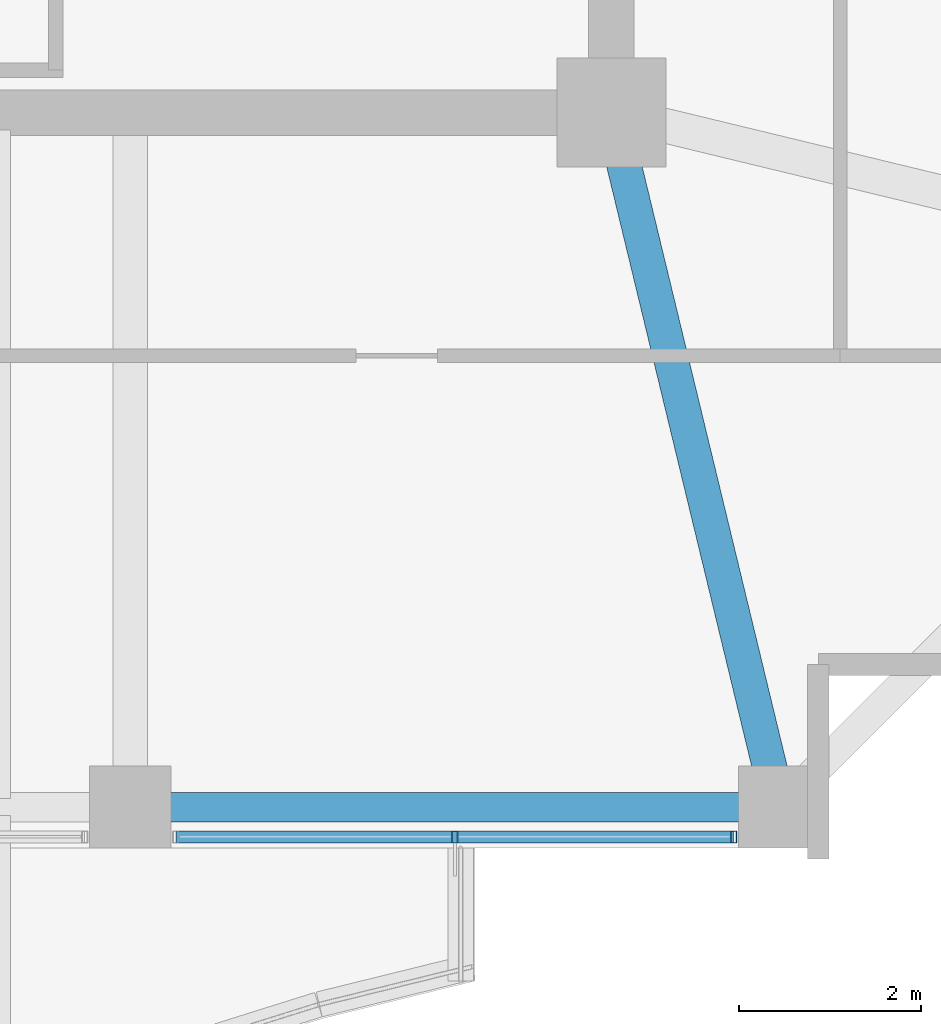
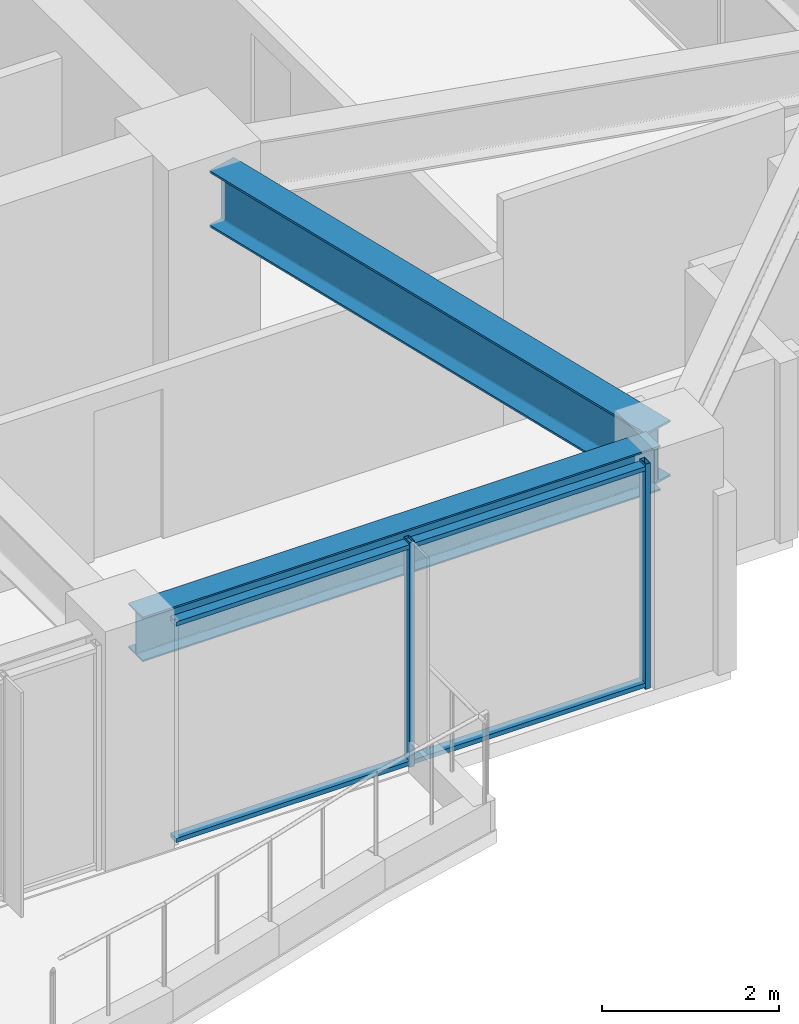
# One storey, part 8 of 31: 4 members, 2 beams, 1 element without a shape of its own.
"""IFC4 building model written with IfcOpenShell, lengths in metres."""

from ifc_helpers import new_model, si_unit, direction, frame, origin, origin_2d, place, context, subcontext, project, spatial, hollow_rectangle, i_section, extrude, material, material_profile, profile_set, type_object, element, aggregate, save


model = new_model("IFC4")

# Units and contexts
model_context = context("Model", 3, precision=1e-05, world=origin(), true_north=direction((0.0, 1.0)))
body_context = subcontext(model_context, "Body", "Model", "MODEL_VIEW")
ifc_project = project(units=[si_unit("LENGTHUNIT", "METRE"), si_unit("AREAUNIT", "SQUARE_METRE"), si_unit("VOLUMEUNIT", "CUBIC_METRE"), si_unit("PLANEANGLEUNIT", "RADIAN"), si_unit("MASSUNIT", "GRAM", prefix="KILO")], contexts=[model_context])

# Site, building, storey
site_placement = place(None, origin())
site = spatial("IfcSite", under=ifc_project, at=site_placement, CompositionType="ELEMENT")
building_placement = place(site_placement, origin())
building = spatial("IfcBuilding", under=site, at=building_placement, Name="Kolvaren Belvedere", CompositionType="ELEMENT")
storey_placement = place(building_placement, frame((0.0, 0.0, 131.60009765625)))
storey = spatial("IfcBuildingStorey", under=building, at=storey_placement, Name="L38", CompositionType="ELEMENT", Elevation=131.60009765625)

# Beams
ifc_material_1 = material(Name="Structural steel ASTM A992 Grade 50", Category="steel")
ifc_material_profile_1 = material_profile(ifc_material_1, i_section(OverallWidth=0.381103515625, OverallDepth=0.77294921875, WebThickness=0.0166015625, FlangeThickness=0.027099609375, FilletRadius=0.02392578125, at=origin_2d()), Name="W30X173")
ifc_profile_set_1 = profile_set([ifc_material_profile_1], Name="Structural steel ASTM A992 Grade 50")
beam_type_1 = type_object("IfcBeamType", Name="BM-GIRD-W30X173", PredefinedType="BEAM", material=ifc_profile_set_1)
beam_1_placement = place(storey_placement, frame((10.029296875, -10.4345703125, 2.71337890625), z_axis=(0.235062749937, -0.971980197119, 0.0), x_axis=(0.971980197119, 0.235062749937, 0.0)))
element("IfcBeam", 1, at=beam_1_placement, inside=storey, type_object=beam_type_1, Name="L38 Corner Core-to-Perimeter Girder CC2-S4", PredefinedType="BEAM", context=body_context, shape_type="SweptSolid", body=[
    extrude(i_section(OverallWidth=0.381103515625, OverallDepth=0.77294921875, WebThickness=0.0166015625, FlangeThickness=0.027099609375, FilletRadius=0.02392578125, at=origin_2d()), origin(), (0.0, 0.0, 1.0), 7.140625),
])
ifc_material_2 = material(Name="Structural steel ASTM A992 Grade 50", Category="steel")
ifc_material_profile_2 = material_profile(ifc_material_2, i_section(OverallWidth=0.324951171875, OverallDepth=0.615966796875, WebThickness=0.013916015625, FlangeThickness=0.021484375, FilletRadius=0.02001953125, at=origin_2d()), Name="W24X117")
ifc_profile_set_2 = profile_set([ifc_material_profile_2], Name="Structural steel ASTM A992 Grade 50")
beam_type_2 = type_object("IfcBeamType", Name="BM-SPAN-W24X117", PredefinedType="SPANDREL", material=ifc_profile_set_2)
beam_2_placement = place(storey_placement, frame((4.802490234375, -17.550048828125, 2.7919921875), z_axis=(1.0, 0.0, 0.0), x_axis=(0.0, 1.0, 0.0)))
element("IfcBeam", 2, at=beam_2_placement, inside=storey, type_object=beam_type_2, Name="L38 Perimeter Spandrel S3-S4", PredefinedType="SPANDREL", context=body_context, shape_type="SweptSolid", body=[
    extrude(i_section(OverallWidth=0.324951171875, OverallDepth=0.615966796875, WebThickness=0.013916015625, FlangeThickness=0.021484375, FilletRadius=0.02001953125, at=origin_2d()), origin(), (0.0, 0.0, 1.0), 6.7451171875),
])

# Curtain wall, members
ifc_material_3 = material(Name="Anodised pale-metal aluminium AA 6063-T6", Category="aluminium")
curtain_wall_type = type_object("IfcCurtainWallType", Name="CW-Z3-WAIST", PredefinedType="NOTDEFINED", material=ifc_material_3)
curtain_wall_placement = place(storey_placement, origin())
curtain_wall = element("IfcCurtainWall", 3, at=curtain_wall_placement, inside=storey, type_object=curtain_wall_type, Name="L38 Unitised Curtain Wall FCW-L38-S1-B1", PredefinedType="NOTDEFINED")
ifc_material_4 = material(Name="Anodised pale-metal aluminium AA 6063-T6", Category="aluminium")
ifc_material_profile_3 = material_profile(ifc_material_4, hollow_rectangle(XDim=0.06494140625, YDim=0.1298828125, WallThickness=0.00390625, at=origin_2d()), Name="ALU-MUL-130X65")
ifc_profile_set_3 = profile_set([ifc_material_profile_3], Name="Anodised pale-metal aluminium AA 6063-T6")
member_type_1 = type_object("IfcMemberType", Name="CW-MUL-130", PredefinedType="MULLION", material=ifc_profile_set_3)
member_1_placement = place(storey_placement, frame((11.24755859375, -17.8798828125, 0.0), z_axis=(0.0, 0.0, 1.0), x_axis=(1.0, 0.0, 0.0)))
member_1 = element("IfcMember", 4, at=member_1_placement, type_object=member_type_1, Name="FCW-L38-S1-B1 Unitised Mullion 1", PredefinedType="MULLION", context=body_context, shape_type="SweptSolid", body=[
    extrude(hollow_rectangle(XDim=0.06494140625, YDim=0.1298828125, WallThickness=0.00390625, at=origin_2d()), origin(), (0.0, 0.0, 1.0), 3.099853515625),
])
member_2_placement = place(storey_placement, frame((8.175048828125, -17.8798828125, 0.0), z_axis=(0.0, 0.0, 1.0), x_axis=(1.0, 0.0, 0.0)))
member_2 = element("IfcMember", 5, at=member_2_placement, type_object=member_type_1, Name="FCW-L38-S1-B1 Unitised Mullion 2", PredefinedType="MULLION", context=body_context, shape_type="SweptSolid", body=[
    extrude(hollow_rectangle(XDim=0.06494140625, YDim=0.1298828125, WallThickness=0.00390625, at=origin_2d()), origin(), (0.0, 0.0, 1.0), 3.099853515625),
])
ifc_material_5 = material(Name="Anodised pale-metal aluminium AA 6063-T6", Category="aluminium")
ifc_material_profile_4 = material_profile(ifc_material_5, hollow_rectangle(XDim=0.06005859375, YDim=0.1298828125, WallThickness=0.00390625, at=origin_2d()), Name="ALU-TRN-130X60")
ifc_profile_set_4 = profile_set([ifc_material_profile_4], Name="Anodised pale-metal aluminium AA 6063-T6")
member_type_2 = type_object("IfcMemberType", Name="CW-TRN-130", PredefinedType="USERDEFINED", material=ifc_profile_set_4)
member_3_placement = place(storey_placement, frame((11.24755859375, -17.8798828125, 0.059814453125), z_axis=(-1.0, 0.0, 0.0), x_axis=(0.0, 0.0, 1.0)))
member_3 = element("IfcMember", 6, at=member_3_placement, type_object=member_type_2, Name="FCW-L38-S1-B1 Sill Transom", ObjectType="TRANSOM", PredefinedType="USERDEFINED", context=body_context, shape_type="SweptSolid", body=[
    extrude(hollow_rectangle(XDim=0.06005859375, YDim=0.1298828125, WallThickness=0.00390625, at=origin_2d()), origin(), (0.0, 0.0, 1.0), 6.14501953125),
])
member_4_placement = place(storey_placement, frame((11.24755859375, -17.8798828125, 3.039794921875), z_axis=(-1.0, 0.0, 0.0), x_axis=(0.0, 0.0, 1.0)))
member_4 = element("IfcMember", 7, at=member_4_placement, type_object=member_type_2, Name="FCW-L38-S1-B1 Head Transom", ObjectType="TRANSOM", PredefinedType="USERDEFINED", context=body_context, shape_type="SweptSolid", body=[
    extrude(hollow_rectangle(XDim=0.06005859375, YDim=0.1298828125, WallThickness=0.00390625, at=origin_2d()), origin(), (0.0, 0.0, 1.0), 6.14501953125),
])
aggregate(curtain_wall, [member_1, member_2, member_3, member_4])

save(model, "model.ifc")
